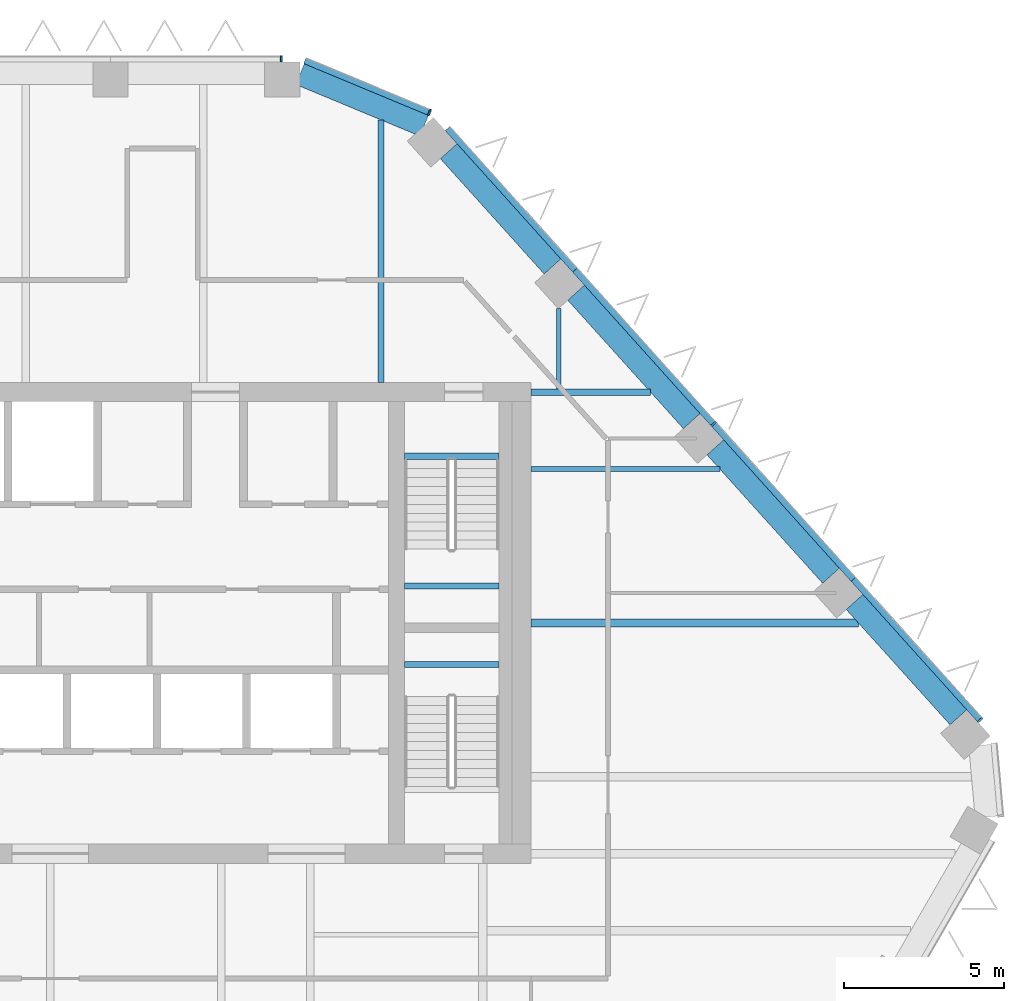
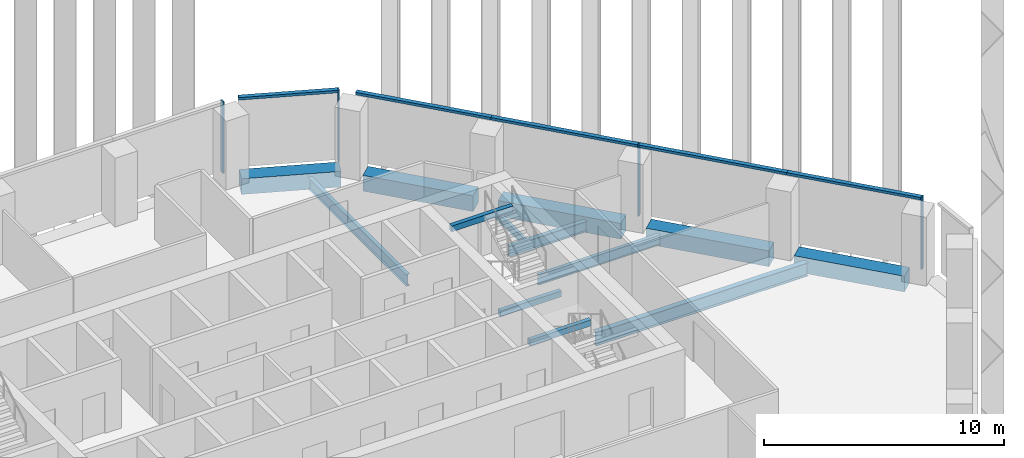
# One storey, part 7 of 18: 13 beams, 9 members, 3 elements without a shape of their own.
"""IFC4 building model written with IfcOpenShell, lengths in metres."""

from ifc_helpers import new_model, si_unit, direction, frame, origin, origin_2d, place, context, subcontext, project, spatial, rectangle, i_section, extrude, material, layer, layer_set, material_profile, profile_set, type_object, element, aggregate, save


model = new_model("IFC4")

# Units and contexts
model_context = context("Model", 3, precision=1e-05, world=origin(), true_north=direction((0.0, 1.0)))
body_context = subcontext(model_context, "Body", "Model", "MODEL_VIEW")
ifc_project = project(units=[si_unit("LENGTHUNIT", "METRE"), si_unit("AREAUNIT", "SQUARE_METRE"), si_unit("VOLUMEUNIT", "CUBIC_METRE"), si_unit("PLANEANGLEUNIT", "RADIAN"), si_unit("MASSUNIT", "GRAM", prefix="KILO")], contexts=[model_context])

# Site, building, storey
site_placement = place(None, origin())
site = spatial("IfcSite", under=ifc_project, at=site_placement, CompositionType="ELEMENT")
building_placement = place(site_placement, origin())
building = spatial("IfcBuilding", under=site, at=building_placement, Name="Isthmus Gate Tower", CompositionType="ELEMENT")
storey_placement = place(building_placement, frame((0.0, 0.0, 238.199951171875)))
storey = spatial("IfcBuildingStorey", under=building, at=storey_placement, Name="L60", CompositionType="ELEMENT", Elevation=238.199951171875)

# Curtain wall, member
ifc_material_1 = material(Name="Aluminium, pale champagne anodised", Category="aluminium")
ifc_layer = layer(ifc_material_1, 0.199951171875)
ifc_layer_set = layer_set([ifc_layer], Name="CW-1 UNITISED CURTAIN WALL 200 DEEP")
curtain_wall_type = type_object("IfcCurtainWallType", Name="CW-1 UNITISED CURTAIN WALL 200 DEEP", PredefinedType="NOTDEFINED", material=ifc_layer_set)
curtain_wall_1_placement = place(storey_placement, origin())
curtain_wall_1 = element("IfcCurtainWall", 1, at=curtain_wall_1_placement, inside=storey, type_object=curtain_wall_type, Name="CW-1 N L60", PredefinedType="NOTDEFINED")
ifc_material_2 = material(Name="Aluminium, pale champagne anodised", Category="aluminium")
ifc_material_profile_1 = material_profile(ifc_material_2, rectangle(XDim=0.06005859375, YDim=0.199951171875, at=origin_2d()), Name="60x200")
ifc_profile_set_1 = profile_set([ifc_material_profile_1], Name="Aluminium, pale champagne anodised")
member_type_1 = type_object("IfcMemberType", Name="CW-1 MULLION 60 X 200", PredefinedType="MULLION", material=ifc_profile_set_1)
member_1_placement = place(storey_placement, frame((7.211181640625, 25.10009765625, 0.0), z_axis=(0.0, 0.0, 1.0), x_axis=(-1.0, 0.0, 0.0)))
member_1 = element("IfcMember", 2, at=member_1_placement, type_object=member_type_1, Name="CW-1 mullion", PredefinedType="MULLION", context=body_context, shape_type="SweptSolid", body=[
    extrude(rectangle(XDim=0.06005859375, YDim=0.199951171875, at=origin_2d()), origin(), (0.0, 0.0, 1.0), 3.650146484375),
])
aggregate(curtain_wall_1, [member_1])

# Curtain wall, members
curtain_wall_2_placement = place(storey_placement, origin())
curtain_wall_2 = element("IfcCurtainWall", 3, at=curtain_wall_2_placement, inside=storey, type_object=curtain_wall_type, Name="CW-1 NE L60", PredefinedType="NOTDEFINED")
member_2_placement = place(storey_placement, frame((29.016357421875, 4.46923828125, 0.0), z_axis=(0.0, 0.0, 1.0), x_axis=(-0.669130606359, 0.743144825477, 0.0)))
member_2 = element("IfcMember", 4, at=member_2_placement, type_object=member_type_1, Name="CW-1 mullion", PredefinedType="MULLION", context=body_context, shape_type="SweptSolid", body=[
    extrude(rectangle(XDim=0.06005859375, YDim=0.199951171875, at=origin_2d()), origin(), (0.0, 0.0, 1.0), 3.650146484375),
])
member_3_placement = place(storey_placement, frame((20.696533203125, 13.709228515625, 0.0), z_axis=(0.0, 0.0, 1.0), x_axis=(-0.669130606359, 0.743144825477, 0.0)))
member_3 = element("IfcMember", 5, at=member_3_placement, type_object=member_type_1, Name="CW-1 mullion", PredefinedType="MULLION", context=body_context, shape_type="SweptSolid", body=[
    extrude(rectangle(XDim=0.06005859375, YDim=0.199951171875, at=origin_2d()), origin(), (0.0, 0.0, 1.0), 3.650146484375),
])

# Curtain wall, member
curtain_wall_3_placement = place(storey_placement, origin())
curtain_wall_3 = element("IfcCurtainWall", 6, at=curtain_wall_3_placement, inside=storey, type_object=curtain_wall_type, Name="CW-1 NE-N L60", PredefinedType="NOTDEFINED")
member_4_placement = place(storey_placement, frame((11.83349609375, 23.427490234375, 0.0), z_axis=(0.0, 0.0, 1.0), x_axis=(-0.923353128387, 0.383951820282, 0.0)))
member_4 = element("IfcMember", 7, at=member_4_placement, type_object=member_type_1, Name="CW-1 mullion", PredefinedType="MULLION", context=body_context, shape_type="SweptSolid", body=[
    extrude(rectangle(XDim=0.06005859375, YDim=0.199951171875, at=origin_2d()), origin(), (0.0, 0.0, 1.0), 3.650146484375),
])

# Member
ifc_material_3 = material(Name="Aluminium, pale champagne anodised", Category="aluminium")
ifc_material_profile_2 = material_profile(ifc_material_3, rectangle(XDim=0.199951171875, YDim=0.1298828125, at=origin_2d()), Name="200x130")
ifc_profile_set_2 = profile_set([ifc_material_profile_2], Name="Aluminium, pale champagne anodised")
member_type_2 = type_object("IfcMemberType", Name="CW-1 TRANSOM 200 X 130", PredefinedType="USERDEFINED", material=ifc_profile_set_2)
member_5_placement = place(storey_placement, frame((28.99609375, 4.491455078125, 3.5849609375), z_axis=(-0.669134411332, 0.743141399447, 0.0), x_axis=(-0.743141399447, -0.669134411332, 0.0)))
member_5 = element("IfcMember", 8, at=member_5_placement, type_object=member_type_2, Name="CW-1 transom", ObjectType="TRANSOM", PredefinedType="USERDEFINED", context=body_context, shape_type="SweptSolid", body=[
    extrude(rectangle(XDim=0.199951171875, YDim=0.1298828125, at=origin_2d()), origin(), (0.0, 0.0, 1.0), 5.8818359375),
])

member_6_placement = place(storey_placement, frame((25.060302734375, 8.862548828125, 3.5849609375), z_axis=(-0.669112239491, 0.743161362668, 0.0), x_axis=(-0.743161362668, -0.669112239491, 0.0)))
member_6 = element("IfcMember", 9, at=member_6_placement, type_object=member_type_2, Name="CW-1 transom", ObjectType="TRANSOM", PredefinedType="USERDEFINED", context=body_context, shape_type="SweptSolid", body=[
    extrude(rectangle(XDim=0.199951171875, YDim=0.1298828125, at=origin_2d()), origin(), (0.0, 0.0, 1.0), 6.49169921875),
])

member_7_placement = place(storey_placement, frame((20.67626953125, 13.7314453125, 3.5849609375), z_axis=(-0.669128292476, 0.7431469089, 0.0), x_axis=(-0.7431469089, -0.669128292476, 0.0)))
member_7 = element("IfcMember", 10, at=member_7_placement, type_object=member_type_2, Name="CW-1 transom", ObjectType="TRANSOM", PredefinedType="USERDEFINED", context=body_context, shape_type="SweptSolid", body=[
    extrude(rectangle(XDim=0.199951171875, YDim=0.1298828125, at=origin_2d()), origin(), (0.0, 0.0, 1.0), 6.431884765625),
])

member_8_placement = place(storey_placement, frame((16.37255859375, 18.51123046875, 3.5849609375), z_axis=(-0.669116811031, 0.743157246615, 0.0), x_axis=(-0.743157246615, -0.669116811031, 0.0)))
member_8 = element("IfcMember", 11, at=member_8_placement, type_object=member_type_2, Name="CW-1 transom", ObjectType="TRANSOM", PredefinedType="USERDEFINED", context=body_context, shape_type="SweptSolid", body=[
    extrude(rectangle(XDim=0.199951171875, YDim=0.1298828125, at=origin_2d()), origin(), (0.0, 0.0, 1.0), 5.94189453125),
])

aggregate(curtain_wall_2, [member_2, member_5, member_6, member_3, member_7, member_8])

member_9_placement = place(storey_placement, frame((11.8056640625, 23.43896484375, 3.5849609375), z_axis=(-0.923358236369, 0.383939536033, 0.0), x_axis=(-0.383939536033, -0.923358236369, 0.0)))
member_9 = element("IfcMember", 12, at=member_9_placement, type_object=member_type_2, Name="CW-1 transom", ObjectType="TRANSOM", PredefinedType="USERDEFINED", context=body_context, shape_type="SweptSolid", body=[
    extrude(rectangle(XDim=0.199951171875, YDim=0.1298828125, at=origin_2d()), origin(), (0.0, 0.0, 1.0), 4.181640625),
])

aggregate(curtain_wall_3, [member_4, member_9])

# Beams
ifc_material_4 = material(Name="Concrete f'c 50 MPa", Category="concrete")
ifc_material_profile_3 = material_profile(ifc_material_4, rectangle(XDim=0.699951171875, YDim=0.800048828125, at=origin_2d()), Name="RC 700X800")
ifc_profile_set_3 = profile_set([ifc_material_profile_3], Name="Concrete f'c 50 MPa")
beam_type_1 = type_object("IfcBeamType", Name="RC SPANDREL 700 X 800", PredefinedType="SPANDREL", material=ifc_profile_set_3)
beam_1_placement = place(storey_placement, frame((7.791015625, 24.620849609375, -0.39990234375), z_axis=(0.923360646135, -0.383933740597, 0.0), x_axis=(0.383933740597, 0.923360646135, 0.0)))
element("IfcBeam", 13, at=beam_1_placement, inside=storey, type_object=beam_type_1, Name="str-spandrel-L60-00", PredefinedType="SPANDREL", context=body_context, shape_type="SweptSolid", body=[
    extrude(rectangle(XDim=0.699951171875, YDim=0.800048828125, at=origin_2d()), origin(), (0.0, 0.0, 1.0), 4.19677734375),
])
beam_2_placement = place(storey_placement, frame((12.43017578125, 22.21728515625, -0.39990234375), z_axis=(0.669129069044, -0.743146209679, 0.0), x_axis=(0.743146209679, 0.669129069044, 0.0)))
element("IfcBeam", 14, at=beam_2_placement, inside=storey, type_object=beam_type_1, Name="str-spandrel-L60-01", PredefinedType="SPANDREL", context=body_context, shape_type="SweptSolid", body=[
    extrude(rectangle(XDim=0.699951171875, YDim=0.800048828125, at=origin_2d()), origin(), (0.0, 0.0, 1.0), 4.842041015625),
])
beam_3_placement = place(storey_placement, frame((16.40625, 17.801513671875, -0.39990234375), z_axis=(0.669122314994, -0.743152290972, 0.0), x_axis=(0.743152290972, 0.669122314994, 0.0)))
element("IfcBeam", 15, at=beam_3_placement, inside=storey, type_object=beam_type_1, Name="str-spandrel-L60-02", PredefinedType="SPANDREL", context=body_context, shape_type="SweptSolid", body=[
    extrude(rectangle(XDim=0.699951171875, YDim=0.800048828125, at=origin_2d()), origin(), (0.0, 0.0, 1.0), 5.39208984375),
])
beam_4_placement = place(storey_placement, frame((20.75, 12.97705078125, -0.39990234375), z_axis=(0.669144830508, -0.743132017749, 0.0), x_axis=(0.743132017749, 0.669144830508, 0.0)))
element("IfcBeam", 16, at=beam_4_placement, inside=storey, type_object=beam_type_1, Name="str-spandrel-L60-03", PredefinedType="SPANDREL", context=body_context, shape_type="SweptSolid", body=[
    extrude(rectangle(XDim=0.699951171875, YDim=0.800048828125, at=origin_2d()), origin(), (0.0, 0.0, 1.0), 5.391845703125),
])
beam_5_placement = place(storey_placement, frame((25.093994140625, 8.152587890625, -0.39990234375), z_axis=(0.669154141686, -0.743123633499, 0.0), x_axis=(0.743123633499, 0.669154141686, 0.0)))
element("IfcBeam", 17, at=beam_5_placement, inside=storey, type_object=beam_type_1, Name="str-spandrel-L60-04", PredefinedType="SPANDREL", context=body_context, shape_type="SweptSolid", body=[
    extrude(rectangle(XDim=0.699951171875, YDim=0.800048828125, at=origin_2d()), origin(), (0.0, 0.0, 1.0), 4.842041015625),
])
ifc_material_5 = material(Name="Concrete f'c 40 MPa", Category="concrete")
ifc_material_profile_4 = material_profile(ifc_material_5, rectangle(XDim=0.199951171875, YDim=0.300048828125, at=origin_2d()), Name="STAIR LANDING BEAM RC 200 X 300")
ifc_profile_set_4 = profile_set([ifc_material_profile_4], Name="Concrete f'c 40 MPa")
beam_type_2 = type_object("IfcBeamType", Name="STAIR LANDING BEAM RC 200 X 300", PredefinedType="BEAM", material=ifc_profile_set_4)
for number, where, z_axis, x_axis, name in (
    (18, (11.050048828125, 8.64990234375, 1.47509765625), (1.0, 0.0, 0.0), (0.0, 1.0, 0.0), "L60 ST2 landing beam 1"),
    (19, (11.050048828125, 12.7001953125, 3.35009765625), (1.0, 0.0, 0.0), (0.0, 1.0, 0.0), "L60 ST2 floor-edge seat beam"),
    (20, (11.050048828125, 6.199951171875, 1.47509765625), (1.0, 0.0, 0.0), (0.0, 1.0, 0.0), "L60 ST8 landing beam 1"),
):
    element("IfcBeam", number, at=place(storey_placement, frame(where, z_axis=z_axis, x_axis=x_axis)), inside=storey, type_object=beam_type_2, Name=name, PredefinedType="BEAM", context=body_context, shape_type="SweptSolid", body=[
        extrude(rectangle(XDim=0.199951171875, YDim=0.300048828125, at=origin_2d()), origin(), (0.0, 0.0, 1.0), 2.949951171875),
    ])
ifc_material_6 = material(Name="Structural steel ASTM A992 Gr 50", Category="steel")
ifc_material_profile_5 = material_profile(ifc_material_6, i_section(OverallWidth=0.1396484375, OverallDepth=0.4033203125, WebThickness=0.00634765625, FlangeThickness=0.010986328125, at=origin_2d()), Name="W16X31")
ifc_profile_set_5 = profile_set([ifc_material_profile_5], Name="Structural steel ASTM A992 Gr 50")
beam_type_3 = type_object("IfcBeamType", Name="STEEL FLOOR BEAM W16X31", PredefinedType="JOIST", material=ifc_profile_set_5)
beam_6_placement = place(storey_placement, frame((15.862060546875, 14.8046875, -0.3515625), z_axis=(0.0, 1.0, 0.0), x_axis=(-1.0, 0.0, 0.0)))
element("IfcBeam", 21, at=beam_6_placement, inside=storey, type_object=beam_type_3, Name="str-beam-L60-05-06", PredefinedType="JOIST", context=body_context, shape_type="SweptSolid", body=[
    extrude(i_section(OverallWidth=0.1396484375, OverallDepth=0.4033203125, WebThickness=0.00634765625, FlangeThickness=0.010986328125, at=origin_2d()), origin(), (0.0, 0.0, 1.0), 2.5068359375),
])
ifc_material_7 = material(Name="Structural steel ASTM A992 Gr 50", Category="steel")
ifc_material_profile_6 = material_profile(ifc_material_7, i_section(OverallWidth=0.1650390625, OverallDepth=0.52392578125, WebThickness=0.009521484375, FlangeThickness=0.010986328125, at=origin_2d()), Name="W21X44")
ifc_profile_set_6 = profile_set([ifc_material_profile_6], Name="Structural steel ASTM A992 Gr 50")
beam_type_4 = type_object("IfcBeamType", Name="STEEL FLOOR BEAM W21X44", PredefinedType="JOIST", material=ifc_profile_set_6)
beam_7_placement = place(storey_placement, frame((15.0, 12.300048828125, -0.411865234375), z_axis=(1.0, 0.0, 0.0), x_axis=(0.0, 1.0, 0.0)))
element("IfcBeam", 22, at=beam_7_placement, inside=storey, type_object=beam_type_4, Name="str-beam-L60-13-02", PredefinedType="JOIST", context=body_context, shape_type="SweptSolid", body=[
    extrude(i_section(OverallWidth=0.1650390625, OverallDepth=0.52392578125, WebThickness=0.009521484375, FlangeThickness=0.010986328125, at=origin_2d()), origin(), (0.0, 0.0, 1.0), 5.888671875),
])
ifc_material_8 = material(Name="Structural steel ASTM A992 Gr 50", Category="steel")
ifc_material_profile_7 = material_profile(ifc_material_8, i_section(OverallWidth=0.177734375, OverallDepth=0.60009765625, WebThickness=0.009521484375, FlangeThickness=0.0126953125, at=origin_2d()), Name="W24X55")
ifc_profile_set_7 = profile_set([ifc_material_profile_7], Name="Structural steel ASTM A992 Gr 50")
beam_type_5 = type_object("IfcBeamType", Name="STEEL FLOOR BEAM W24X55", PredefinedType="JOIST", material=ifc_profile_set_7)
beam_8_placement = place(storey_placement, frame((10.3193359375, 15.0, -0.449951171875), z_axis=(0.0, 1.0, 0.0), x_axis=(-1.0, 0.0, 0.0)))
element("IfcBeam", 23, at=beam_8_placement, inside=storey, type_object=beam_type_5, Name="str-beam-L60-05-05", PredefinedType="JOIST", context=body_context, shape_type="SweptSolid", body=[
    extrude(i_section(OverallWidth=0.177734375, OverallDepth=0.60009765625, WebThickness=0.009521484375, FlangeThickness=0.0126953125, at=origin_2d()), origin(), (0.0, 0.0, 1.0), 8.190673828125),
])
ifc_material_9 = material(Name="Structural steel ASTM A992 Gr 50", Category="steel")
ifc_material_profile_8 = material_profile(ifc_material_9, i_section(OverallWidth=0.25390625, OverallDepth=0.679443359375, WebThickness=0.010986328125, FlangeThickness=0.015869140625, at=origin_2d()), Name="W27X84")
ifc_profile_set_8 = profile_set([ifc_material_profile_8], Name="Structural steel ASTM A992 Gr 50")
beam_type_6 = type_object("IfcBeamType", Name="STEEL FLOOR BEAM W27X84", PredefinedType="JOIST", material=ifc_profile_set_8)
beam_9_placement = place(storey_placement, frame((15.0, 7.5, -0.48974609375), z_axis=(1.0, 0.0, 0.0), x_axis=(0.0, 1.0, 0.0)))
element("IfcBeam", 24, at=beam_9_placement, inside=storey, type_object=beam_type_6, Name="str-beam-L60-13-01", PredefinedType="JOIST", context=body_context, shape_type="SweptSolid", body=[
    extrude(i_section(OverallWidth=0.25390625, OverallDepth=0.679443359375, WebThickness=0.010986328125, FlangeThickness=0.015869140625, at=origin_2d()), origin(), (0.0, 0.0, 1.0), 10.210693359375),
])
ifc_material_10 = material(Name="Structural steel ASTM A992 Gr 50", Category="steel")
ifc_material_profile_9 = material_profile(ifc_material_10, i_section(OverallWidth=0.20947265625, OverallDepth=0.533447265625, WebThickness=0.009521484375, FlangeThickness=0.015869140625, at=origin_2d()), Name="W21X62")
ifc_profile_set_9 = profile_set([ifc_material_profile_9], Name="Structural steel ASTM A992 Gr 50")
beam_type_7 = type_object("IfcBeamType", Name="STEEL GIRDER W21X62", PredefinedType="BEAM", material=ifc_profile_set_9)
beam_10_placement = place(storey_placement, frame((15.0, 14.699951171875, -0.416748046875), z_axis=(1.0, 0.0, 0.0), x_axis=(0.0, 1.0, 0.0)))
element("IfcBeam", 25, at=beam_10_placement, inside=storey, type_object=beam_type_7, Name="str-girder-L60-12", PredefinedType="BEAM", context=body_context, shape_type="SweptSolid", body=[
    extrude(i_section(OverallWidth=0.20947265625, OverallDepth=0.533447265625, WebThickness=0.009521484375, FlangeThickness=0.015869140625, at=origin_2d()), origin(), (0.0, 0.0, 1.0), 3.727783203125),
])

save(model, "model.ifc")
